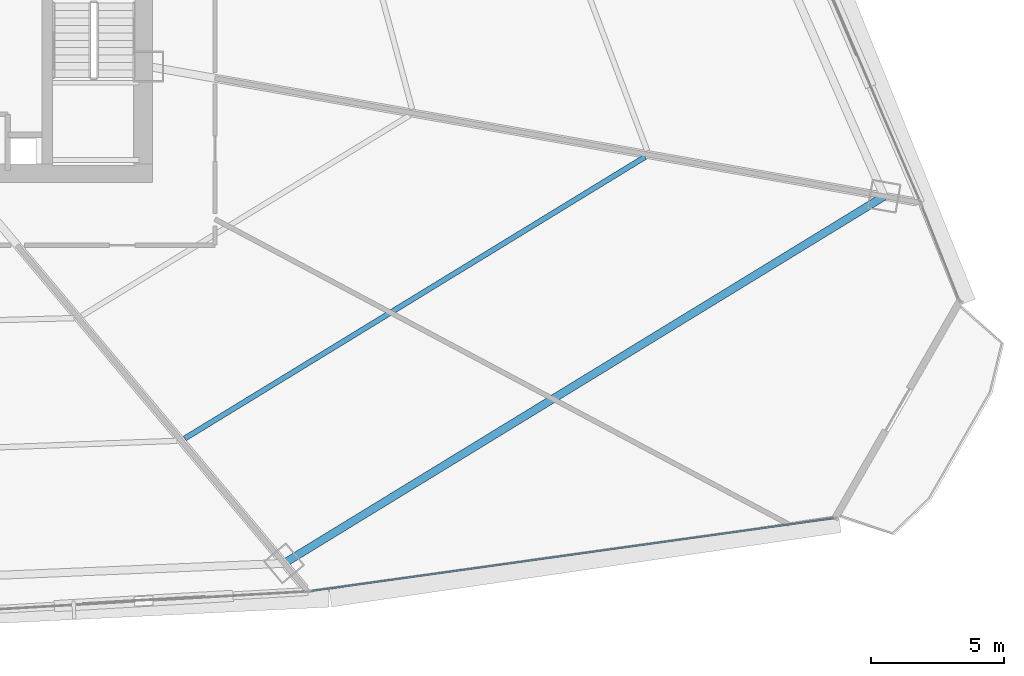
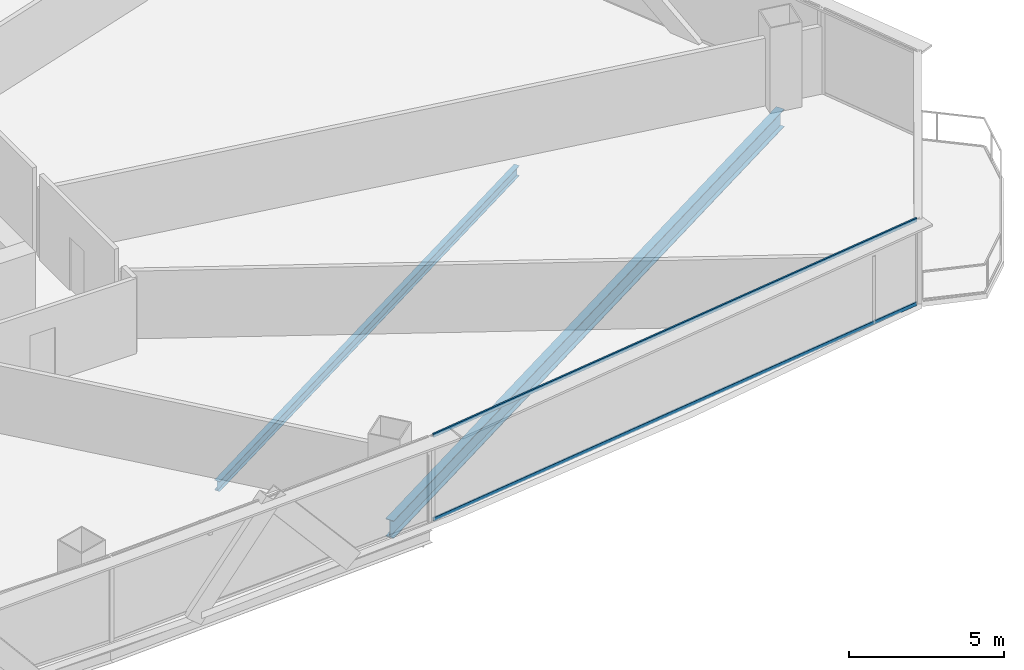
# One storey, part 21 of 37: 2 beams, 2 members, 1 element without a shape of its own.
"""IFC4 building model written with IfcOpenShell, lengths in metres."""

from ifc_helpers import new_model, si_unit, direction, frame, origin, origin_2d, place, context, subcontext, project, spatial, hollow_rectangle, i_section, extrude, source, transform, mapped, material, layer, layer_set, material_profile, profile_set, type_object, element, aggregate, save


model = new_model("IFC4")

# Units and contexts
model_context = context("Model", 3, precision=1e-05, world=origin(), true_north=direction((0.0, 1.0)))
body_context = subcontext(model_context, "Body", "Model", "MODEL_VIEW")
ifc_project = project(units=[si_unit("LENGTHUNIT", "METRE"), si_unit("AREAUNIT", "SQUARE_METRE"), si_unit("VOLUMEUNIT", "CUBIC_METRE"), si_unit("PLANEANGLEUNIT", "RADIAN"), si_unit("MASSUNIT", "GRAM", prefix="KILO"), si_unit("THERMODYNAMICTEMPERATUREUNIT", "KELVIN"), si_unit("POWERUNIT", "WATT")], contexts=[model_context])

# Site, building, storey
site_placement = place(None, origin())
site = spatial("IfcSite", under=ifc_project, at=site_placement, CompositionType="ELEMENT")
building_placement = place(site_placement, origin())
building = spatial("IfcBuilding", under=site, at=building_placement, Name="Yunzhuo Pagoda Commons", CompositionType="ELEMENT")
storey_placement = place(building_placement, frame((0.0, 0.0, 52.179931640625)))
storey = spatial("IfcBuildingStorey", under=building, at=storey_placement, Name="L13", CompositionType="ELEMENT", Elevation=52.179931640625)

# Beams
ifc_material_1 = material(Name="Structural steel Q355B", Category="steel")
ifc_material_profile_1 = material_profile(ifc_material_1, i_section(OverallWidth=0.300048828125, OverallDepth=0.699951171875, WebThickness=0.012939453125, FlangeThickness=0.02392578125, at=origin_2d()), Name="Structural steel Q355B")
ifc_profile_set_1 = profile_set([ifc_material_profile_1], Name="Structural steel Q355B")
beam_type_1 = type_object("IfcBeamType", Name="B-RG1 Beam HN 700x300x13x24", PredefinedType="BEAM", material=ifc_profile_set_1)
shared_shape_1 = source(origin(), body_context, "Body", "SweptSolid", [
    extrude(i_section(OverallWidth=0.300048828125, OverallDepth=0.699951171875, WebThickness=0.012939453125, FlangeThickness=0.02392578125, at=origin_2d()), origin(), (0.0, 0.0, 1.0), 26.432373046875),
])
beam_1_placement = place(storey_placement, frame((65.5, 12.844482421875, -0.60986328125), z_axis=(0.853031728928, 0.521859051318, 0.0), x_axis=(-0.521859051318, 0.853031728928, 0.0)))
element("IfcBeam", 1, at=beam_1_placement, inside=storey, type_object=beam_type_1, Name="L13 column-ring beam 4", PredefinedType="BEAM", context=body_context, shape_type="MappedRepresentation", body=[
    mapped(shared_shape_1, transform((0.0, 0.0, 0.0), scale=1.0)),
])
ifc_material_profile_2 = material_profile(ifc_material_1, i_section(OverallWidth=0.199951171875, OverallDepth=0.39990234375, WebThickness=0.008056640625, FlangeThickness=0.012939453125, at=origin_2d()), Name="Structural steel Q355B")
ifc_profile_set_2 = profile_set([ifc_material_profile_2], Name="Structural steel Q355B")
beam_type_2 = type_object("IfcBeamType", Name="B-JS1 Joist HN 400x200x8x13", PredefinedType="JOIST", material=ifc_profile_set_2)
shared_shape_2 = source(origin(), body_context, "Body", "SweptSolid", [
    extrude(i_section(OverallWidth=0.199951171875, OverallDepth=0.39990234375, WebThickness=0.008056640625, FlangeThickness=0.012939453125, at=origin_2d()), origin(), (0.0, 0.0, 1.0), 20.275634765625),
])
beam_2_placement = place(storey_placement, frame((61.767578125, 17.537109375, -0.4599609375), z_axis=(0.853102898066, 0.521742700295, 0.0), x_axis=(-0.521742700295, 0.853102898066, 0.0)))
element("IfcBeam", 2, at=beam_2_placement, inside=storey, type_object=beam_type_2, Name="L13 composite ring joist 2.4", PredefinedType="JOIST", context=body_context, shape_type="MappedRepresentation", body=[
    mapped(shared_shape_2, transform((0.0, 0.0, 0.0), scale=1.0)),
])

# Curtain wall, members
ifc_material_2 = material(Name="Anodized aluminium 6063-T6", Category="aluminium")
ifc_layer = layer(ifc_material_2, 0.1650390625)
ifc_layer_set = layer_set([ifc_layer], Name="Anodized aluminium 6063-T6")
curtain_wall_type = type_object("IfcCurtainWallType", Name="CW-LOW Low-Zone Ribbon Curtain Wall", PredefinedType="NOTDEFINED", material=ifc_layer_set)
curtain_wall_placement = place(storey_placement, origin())
curtain_wall = element("IfcCurtainWall", 3, at=curtain_wall_placement, inside=storey, type_object=curtain_wall_type, Name="L13 curtain wall CW-L13-F1B5", PredefinedType="NOTDEFINED")
ifc_material_profile_3 = material_profile(ifc_material_2, hollow_rectangle(XDim=0.06005859375, YDim=0.139892578125, WallThickness=0.00341796875, at=origin_2d()), Name="Anodized aluminium 6063-T6")
ifc_profile_set_3 = profile_set([ifc_material_profile_3], Name="Anodized aluminium 6063-T6")
member_type = type_object("IfcMemberType", Name="CW-LOW-T Transom RHS 140x60x3.5", PredefinedType="USERDEFINED", material=ifc_profile_set_3)
shared_shape_3 = source(origin(), body_context, "Body", "SweptSolid", [
    extrude(hollow_rectangle(XDim=0.06005859375, YDim=0.139892578125, WallThickness=0.00341796875, at=origin_2d()), origin(), (0.0, 0.0, 1.0), 19.809814453125),
])
member_1_placement = place(storey_placement, frame((66.5263671875, 11.8056640625, 0.030029296875), z_axis=(0.990445101456, 0.137907581381, 0.0), x_axis=(-0.137907581381, 0.990445101456, 0.0)))
member_1 = element("IfcMember", 4, at=member_1_placement, type_object=member_type, Name="CW transom 1.1", ObjectType="TRANSOM", PredefinedType="USERDEFINED", context=body_context, shape_type="MappedRepresentation", body=[
    mapped(shared_shape_3, transform((0.0, 0.0, 0.0), scale=1.0)),
])
member_2_placement = place(storey_placement, frame((66.5263671875, 11.8056640625, 3.34033203125), z_axis=(0.990445101456, 0.137907581381, 0.0), x_axis=(-0.137907581381, 0.990445101456, 0.0)))
member_2 = element("IfcMember", 5, at=member_2_placement, type_object=member_type, Name="CW transom 1.2", ObjectType="TRANSOM", PredefinedType="USERDEFINED", context=body_context, shape_type="MappedRepresentation", body=[
    mapped(shared_shape_3, transform((0.0, 0.0, 0.0), scale=1.0)),
])
aggregate(curtain_wall, [member_1, member_2])

save(model, "model.ifc")
